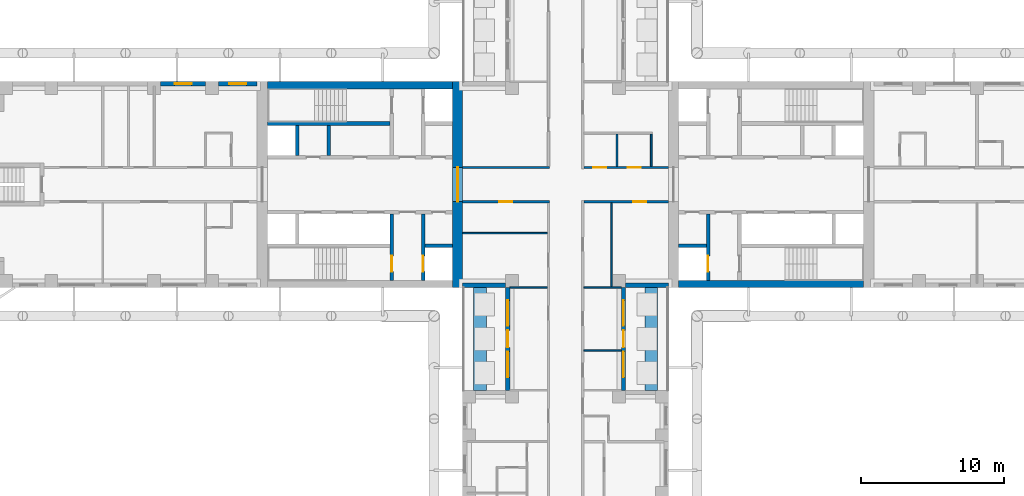
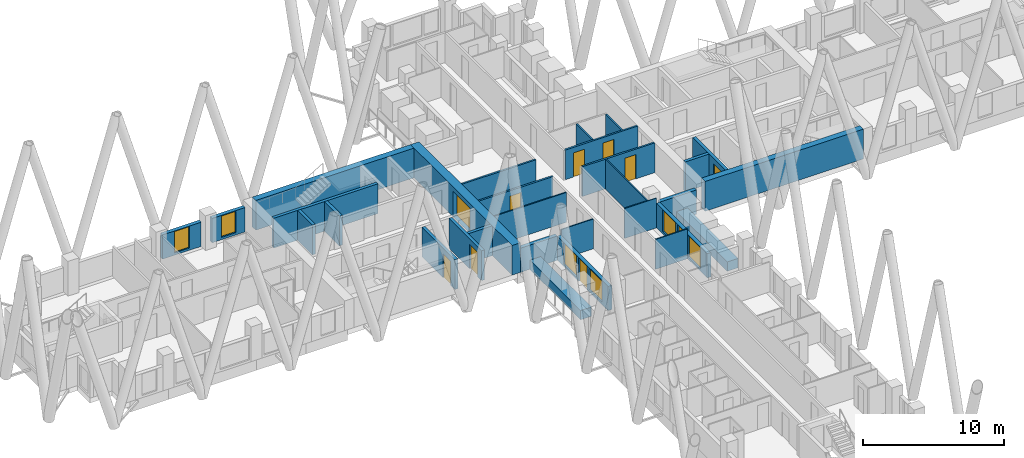
# One storey, part 7 of 14: 30 walls, 10 doors, 6 windows, 16 openings.
"""IFC4 building model written with IfcOpenShell, lengths in metres."""

from ifc_helpers import new_model, si_unit, direction, frame, frame_2d, origin, place, context, subcontext, project, spatial, rectangle, extrude, material, layer, layer_set, type_object, element, fill, save


model = new_model("IFC4")

# Units and contexts
model_context = context("Model", 3, precision=1e-05, world=origin(), true_north=direction((0.0, 1.0)))
body_context = subcontext(model_context, "Body", "Model", "MODEL_VIEW")
ifc_project = project(units=[si_unit("LENGTHUNIT", "METRE"), si_unit("AREAUNIT", "SQUARE_METRE"), si_unit("VOLUMEUNIT", "CUBIC_METRE"), si_unit("PLANEANGLEUNIT", "RADIAN"), si_unit("MASSUNIT", "GRAM", prefix="KILO")], contexts=[model_context])

# Site, building, storey
site_placement = place(None, origin())
site = spatial("IfcSite", under=ifc_project, at=site_placement, CompositionType="ELEMENT")
building_placement = place(site_placement, origin())
building = spatial("IfcBuilding", under=site, at=building_placement, Name="Fustian Cross Tower", CompositionType="ELEMENT")
storey_placement = place(building_placement, frame((0.0, 0.0, 90.89990234375)))
storey = spatial("IfcBuildingStorey", under=building, at=storey_placement, Name="L28", CompositionType="ELEMENT", Elevation=90.89990234375)

# Wall, opening, door
ifc_material_1 = material(Name="Plasterboard on steel stud", Category="steel")
ifc_layer_1 = layer(ifc_material_1, 0.14990234375)
ifc_layer_set_1 = layer_set([ifc_layer_1], Name="Plasterboard on steel stud")
wall_type_1 = type_object("IfcWallType", Name="COMPARTMENT WALL 150 EI 60", PredefinedType="PARTITIONING", material=ifc_layer_set_1)
wall_1_placement = place(storey_placement, frame((-7.199951171875, -1.199951171875, 0.0), z_axis=(0.0, 0.0, 1.0), x_axis=(1.0, 0.0, 0.0)))
wall_1 = element("IfcWall", 1, at=wall_1_placement, inside=storey, type_object=wall_type_1, Name="Partition 15", PredefinedType="PARTITIONING", context=body_context, shape_type="SweptSolid", body=[
    extrude(rectangle(XDim=6.074951171875, YDim=0.14990234375, at=frame_2d((3.03759765625, 0.0))), origin(), (0.0, 0.0, 1.0), 2.5751953125),
])
opening_1_placement = place(wall_1_placement, frame((2.550048828125, 0.0, 0.0)))
opening_1 = element("IfcOpeningElement", 2, at=opening_1_placement, cuts=wall_1, Name="Opening D13007", PredefinedType="OPENING", context=body_context, shape_type="SweptSolid", body=[
    extrude(rectangle(XDim=0.89990234375, YDim=2.10009765625, at=frame_2d((0.449951171875, 1.050048828125))), frame((0.0, 0.0849609375, 0.0), z_axis=(0.0, -1.0, 0.0), x_axis=(1.0, 0.0, 0.0)), (0.0, 0.0, 1.0), 0.169921875),
])
ifc_material_2 = material(Name="Timber fire door set", Category="wood")
door_type_1 = type_object("IfcDoorType", Name="FIRE SWING DOOR 900 FD30S", OperationType="SINGLE_SWING_LEFT", PredefinedType="DOOR", material=ifc_material_2)
door_1_placement = place(opening_1_placement, frame((0.89990234375, 0.0, 0.0), z_axis=(0.0, 0.0, 1.0), x_axis=(-1.0, 0.0, 0.0)))
door_1 = element("IfcDoor", 3, at=door_1_placement, inside=storey, type_object=door_type_1, Name="Door D13007", OperationType="SINGLE_SWING_RIGHT", OverallHeight=2.10009765625, OverallWidth=0.89990234375, PredefinedType="DOOR", context=body_context, shape_type="SweptSolid", body=[
    extrude(rectangle(XDim=0.89990234375, YDim=2.10009765625, at=frame_2d((0.449951171875, 1.050048828125))), frame((0.0, 0.02490234375, 0.0), z_axis=(0.0, -1.0, 0.0), x_axis=(1.0, 0.0, 0.0)), (0.0, 0.0, 1.0), 0.050048828125),
])
fill(opening_1, door_1)

# Wall
wall_2_placement = place(storey_placement, frame((-7.199951171875, 1.199951171875, 0.0), z_axis=(0.0, 0.0, 1.0), x_axis=(1.0, 0.0, 0.0)))
element("IfcWall", 4, at=wall_2_placement, inside=storey, type_object=wall_type_1, Name="Partition 16", PredefinedType="PARTITIONING", context=body_context, shape_type="SweptSolid", body=[
    extrude(rectangle(XDim=6.074951171875, YDim=0.14990234375, at=frame_2d((3.03759765625, 0.0))), origin(), (0.0, 0.0, 1.0), 2.5751953125),
])

# Wall, opening, door
wall_3_placement = place(storey_placement, frame((1.27490234375, -1.199951171875, 0.0), z_axis=(0.0, 0.0, 1.0), x_axis=(1.0, 0.0, 0.0)))
wall_3 = element("IfcWall", 5, at=wall_3_placement, inside=storey, type_object=wall_type_1, Name="Partition 48", PredefinedType="PARTITIONING", context=body_context, shape_type="SweptSolid", body=[
    extrude(rectangle(XDim=5.925048828125, YDim=0.14990234375, at=frame_2d((2.96240234375, 0.0))), origin(), (0.0, 0.0, 1.0), 2.5751953125),
])
opening_2_placement = place(wall_3_placement, frame((3.47509765625, 0.0, 0.0)))
opening_2 = element("IfcOpeningElement", 6, at=opening_2_placement, cuts=wall_3, Name="Opening D13006", PredefinedType="OPENING", context=body_context, shape_type="SweptSolid", body=[
    extrude(rectangle(XDim=0.89990234375, YDim=2.10009765625, at=frame_2d((0.449951171875, 1.050048828125))), frame((0.0, 0.0849609375, 0.0), z_axis=(0.0, -1.0, 0.0), x_axis=(1.0, 0.0, 0.0)), (0.0, 0.0, 1.0), 0.169921875),
])
door_2_placement = place(opening_2_placement, frame((0.89990234375, 0.0, 0.0), z_axis=(0.0, 0.0, 1.0), x_axis=(-1.0, 0.0, 0.0)))
door_2 = element("IfcDoor", 7, at=door_2_placement, inside=storey, type_object=door_type_1, Name="Door D13006", OperationType="SINGLE_SWING_RIGHT", OverallHeight=2.10009765625, OverallWidth=0.89990234375, PredefinedType="DOOR", context=body_context, shape_type="SweptSolid", body=[
    extrude(rectangle(XDim=0.89990234375, YDim=2.10009765625, at=frame_2d((0.449951171875, 1.050048828125))), frame((0.0, 0.02490234375, 0.0), z_axis=(0.0, -1.0, 0.0), x_axis=(1.0, 0.0, 0.0)), (0.0, 0.0, 1.0), 0.050048828125),
])
fill(opening_2, door_2)

# Wall, openings, doors
wall_4_placement = place(storey_placement, frame((1.27490234375, 1.199951171875, 0.0), z_axis=(0.0, 0.0, 1.0), x_axis=(1.0, 0.0, 0.0)))
wall_4 = element("IfcWall", 8, at=wall_4_placement, inside=storey, type_object=wall_type_1, Name="Partition 50", PredefinedType="PARTITIONING", context=body_context, shape_type="SweptSolid", body=[
    extrude(rectangle(XDim=5.925048828125, YDim=0.14990234375, at=frame_2d((2.96240234375, 0.0))), origin(), (0.0, 0.0, 1.0), 2.5751953125),
])
opening_3_placement = place(wall_4_placement, frame((0.675048828125, 0.0, 0.0)))
opening_3 = element("IfcOpeningElement", 9, at=opening_3_placement, cuts=wall_4, Name="Opening D13001", PredefinedType="OPENING", context=body_context, shape_type="SweptSolid", body=[
    extrude(rectangle(XDim=0.89990234375, YDim=2.10009765625, at=frame_2d((0.449951171875, 1.050048828125))), frame((0.0, 0.0849609375, 0.0), z_axis=(0.0, -1.0, 0.0), x_axis=(1.0, 0.0, 0.0)), (0.0, 0.0, 1.0), 0.169921875),
])
opening_4_placement = place(wall_4_placement, frame((3.074951171875, 0.0, 0.0)))
opening_4 = element("IfcOpeningElement", 10, at=opening_4_placement, cuts=wall_4, Name="Opening D13002", PredefinedType="OPENING", context=body_context, shape_type="SweptSolid", body=[
    extrude(rectangle(XDim=0.89990234375, YDim=2.10009765625, at=frame_2d((0.449951171875, 1.050048828125))), frame((0.0, 0.0849609375, 0.0), z_axis=(0.0, -1.0, 0.0), x_axis=(1.0, 0.0, 0.0)), (0.0, 0.0, 1.0), 0.169921875),
])
door_3_placement = place(opening_3_placement, origin())
door_3 = element("IfcDoor", 11, at=door_3_placement, inside=storey, type_object=door_type_1, Name="Door D13001", OperationType="SINGLE_SWING_LEFT", OverallHeight=2.10009765625, OverallWidth=0.89990234375, PredefinedType="DOOR", context=body_context, shape_type="SweptSolid", body=[
    extrude(rectangle(XDim=0.89990234375, YDim=2.10009765625, at=frame_2d((0.449951171875, 1.050048828125))), frame((0.0, 0.02490234375, 0.0), z_axis=(0.0, -1.0, 0.0), x_axis=(1.0, 0.0, 0.0)), (0.0, 0.0, 1.0), 0.050048828125),
])
fill(opening_3, door_3)
door_4_placement = place(opening_4_placement, origin())
door_4 = element("IfcDoor", 12, at=door_4_placement, inside=storey, type_object=door_type_1, Name="Door D13002", OperationType="SINGLE_SWING_LEFT", OverallHeight=2.10009765625, OverallWidth=0.89990234375, PredefinedType="DOOR", context=body_context, shape_type="SweptSolid", body=[
    extrude(rectangle(XDim=0.89990234375, YDim=2.10009765625, at=frame_2d((0.449951171875, 1.050048828125))), frame((0.0, 0.02490234375, 0.0), z_axis=(0.0, -1.0, 0.0), x_axis=(1.0, 0.0, 0.0)), (0.0, 0.0, 1.0), 0.050048828125),
])
fill(opening_4, door_4)

# Wall, opening, door
ifc_material_3 = material(Name="Concrete C70/85", Category="concrete")
ifc_layer_2 = layer(ifc_material_3, 0.699951171875)
ifc_layer_set_2 = layer_set([ifc_layer_2], Name="Concrete C70/85")
wall_type_2 = type_object("IfcWallType", Name="CORE END WALL 700 C70/85", PredefinedType="SHEAR", material=ifc_layer_set_2)
wall_5_placement = place(storey_placement, frame((-7.550048828125, -7.199951171875, 0.0), z_axis=(0.0, 0.0, 1.0), x_axis=(0.0, 1.0, 0.0)))
wall_5 = element("IfcWall", 13, at=wall_5_placement, inside=storey, type_object=wall_type_2, Name="Core end wall", PredefinedType="SHEAR", context=body_context, shape_type="SweptSolid", body=[
    extrude(rectangle(XDim=14.39990234375, YDim=0.699951171875, at=frame_2d((7.199951171875, 0.0))), origin(), (0.0, 0.0, 1.0), 2.5751953125),
])
opening_5_placement = place(wall_5_placement, frame((6.0, 0.0, 0.0)))
opening_5 = element("IfcOpeningElement", 14, at=opening_5_placement, cuts=wall_5, Name="Opening CD-11-27", PredefinedType="OPENING", context=body_context, shape_type="SweptSolid", body=[
    extrude(rectangle(XDim=2.39990234375, YDim=2.199951171875, at=frame_2d((1.199951171875, 1.10009765625))), frame((0.0, 0.35986328125, 0.0), z_axis=(0.0, -1.0, 0.0), x_axis=(1.0, 0.0, 0.0)), (0.0, 0.0, 1.0), 0.719970703125),
])
ifc_material_4 = material(Name="Steel", Category="steel")
door_type_2 = type_object("IfcDoorType", Name="FIRE DOOR FD30S DOUBLE 2400X2200", OperationType="DOUBLE_DOOR_DOUBLE_SWING", PredefinedType="DOOR", material=ifc_material_4)
door_5_placement = place(opening_5_placement, origin())
door_5 = element("IfcDoor", 15, at=door_5_placement, inside=storey, type_object=door_type_2, Name="Core door CD-11-27", OperationType="DOUBLE_DOOR_DOUBLE_SWING", OverallHeight=2.199951171875, OverallWidth=2.39990234375, PredefinedType="DOOR", context=body_context, shape_type="SweptSolid", body=[
    extrude(rectangle(XDim=2.39990234375, YDim=2.199951171875, at=frame_2d((1.199951171875, 1.10009765625))), frame((0.0, 0.02490234375, 0.0), z_axis=(0.0, -1.0, 0.0), x_axis=(1.0, 0.0, 0.0)), (0.0, 0.0, 1.0), 0.050048828125),
])
fill(opening_5, door_5)

# Walls
ifc_material_5 = material(Name="Concrete C70/85", Category="concrete")
ifc_layer_3 = layer(ifc_material_5, 0.5)
ifc_layer_set_3 = layer_set([ifc_layer_3], Name="Concrete C70/85")
wall_type_3 = type_object("IfcWallType", Name="CORE FACADE WALL 500 C70/85", PredefinedType="SHEAR", material=ifc_layer_set_3)
for number, where, z_axis, x_axis, name in (
    (16, (7.89990234375, -6.949951171875, 0.0), (0.0, 0.0, 1.0), (1.0, 0.0, 0.0), "Core facade wall"),
    (17, (-7.89990234375, 6.949951171875, 0.0), (0.0, 0.0, 1.0), (-1.0, 0.0, 0.0), "Core facade wall"),
):
    element("IfcWall", number, at=place(storey_placement, frame(where, z_axis=z_axis, x_axis=x_axis)), inside=storey, type_object=wall_type_3, Name=name, PredefinedType="SHEAR", context=body_context, shape_type="SweptSolid", body=[
        extrude(rectangle(XDim=12.9501953125, YDim=0.5, at=frame_2d((6.47509765625, 0.0))), origin(), (0.0, 0.0, 1.0), 2.5751953125),
    ])
ifc_material_6 = material(Name="Concrete C50/60", Category="concrete")
ifc_layer_4 = layer(ifc_material_6, 0.25)
ifc_layer_set_4 = layer_set([ifc_layer_4], Name="Concrete C50/60")
wall_type_4 = type_object("IfcWallType", Name="CORE SHAFT WALL 250 C50/60", PredefinedType="SHEAR", material=ifc_layer_set_4)
wall_6_placement = place(storey_placement, frame((7.89990234375, -4.27490234375, 0.0), z_axis=(0.0, 0.0, 1.0), x_axis=(1.0, 0.0, 0.0)))
element("IfcWall", 18, at=wall_6_placement, inside=storey, type_object=wall_type_4, Name="Core shaft wall", PredefinedType="SHEAR", context=body_context, shape_type="SweptSolid", body=[
    extrude(rectangle(XDim=1.9501953125, YDim=0.25, at=frame_2d((0.97509765625, 0.0))), origin(), (0.0, 0.0, 1.0), 2.5751953125),
])

# Wall, opening, door
wall_7_placement = place(storey_placement, frame((9.97509765625, -2.050048828125, 0.0), z_axis=(0.0, 0.0, 1.0), x_axis=(0.0, -1.0, 0.0)))
wall_7 = element("IfcWall", 19, at=wall_7_placement, inside=storey, type_object=wall_type_4, Name="Core shaft wall", PredefinedType="SHEAR", context=body_context, shape_type="SweptSolid", body=[
    extrude(rectangle(XDim=4.64990234375, YDim=0.25, at=frame_2d((2.324951171875, 0.0))), origin(), (0.0, 0.0, 1.0), 2.5751953125),
])
opening_6_placement = place(wall_7_placement, frame((2.949951171875, 0.0, 0.0)))
opening_6 = element("IfcOpeningElement", 20, at=opening_6_placement, cuts=wall_7, Name="Opening LD", PredefinedType="OPENING", context=body_context, shape_type="SweptSolid", body=[
    extrude(rectangle(XDim=1.10009765625, YDim=2.10009765625, at=frame_2d((0.550048828125, 1.050048828125))), frame((0.0, 0.135009765625, 0.0), z_axis=(0.0, -1.0, 0.0), x_axis=(1.0, 0.0, 0.0)), (0.0, 0.0, 1.0), 0.27001953125),
])
ifc_material_7 = material(Name="Stainless steel", Category="steel")
door_type_3 = type_object("IfcDoorType", Name="LIFT LANDING DOOR 1100X2100", OperationType="SLIDING_TO_LEFT", PredefinedType="DOOR", material=ifc_material_7)
door_6_placement = place(opening_6_placement, origin())
door_6 = element("IfcDoor", 21, at=door_6_placement, inside=storey, type_object=door_type_3, Name="Landing door SV1", OperationType="SLIDING_TO_LEFT", OverallHeight=2.10009765625, OverallWidth=1.10009765625, PredefinedType="DOOR", context=body_context, shape_type="SweptSolid", body=[
    extrude(rectangle(XDim=1.10009765625, YDim=2.10009765625, at=frame_2d((0.550048828125, 1.050048828125))), frame((0.0, 0.02490234375, 0.0), z_axis=(0.0, -1.0, 0.0), x_axis=(1.0, 0.0, 0.0)), (0.0, 0.0, 1.0), 0.050048828125),
])
fill(opening_6, door_6)

# Walls
wall_8_placement = place(storey_placement, frame((-12.300048828125, 4.27490234375, 0.0), z_axis=(0.0, 0.0, 1.0), x_axis=(-1.0, 0.0, 0.0)))
element("IfcWall", 22, at=wall_8_placement, inside=storey, type_object=wall_type_4, Name="Core shaft wall", PredefinedType="SHEAR", context=body_context, shape_type="SweptSolid", body=[
    extrude(rectangle(XDim=8.550048828125, YDim=0.25, at=frame_2d((4.27490234375, 0.0))), origin(), (0.0, 0.0, 1.0), 2.5751953125),
])
wall_9_placement = place(storey_placement, frame((-7.89990234375, -4.27490234375, 0.0), z_axis=(0.0, 0.0, 1.0), x_axis=(-1.0, 0.0, 0.0)))
element("IfcWall", 23, at=wall_9_placement, inside=storey, type_object=wall_type_4, Name="Core shaft wall", PredefinedType="SHEAR", context=body_context, shape_type="SweptSolid", body=[
    extrude(rectangle(XDim=1.9501953125, YDim=0.25, at=frame_2d((0.97509765625, 0.0))), origin(), (0.0, 0.0, 1.0), 2.5751953125),
])

# Wall, opening, door
wall_10_placement = place(storey_placement, frame((-9.97509765625, -2.050048828125, 0.0), z_axis=(0.0, 0.0, 1.0), x_axis=(0.0, -1.0, 0.0)))
wall_10 = element("IfcWall", 24, at=wall_10_placement, inside=storey, type_object=wall_type_4, Name="Core shaft wall", PredefinedType="SHEAR", context=body_context, shape_type="SweptSolid", body=[
    extrude(rectangle(XDim=4.64990234375, YDim=0.25, at=frame_2d((2.324951171875, 0.0))), origin(), (0.0, 0.0, 1.0), 2.5751953125),
])
opening_7_placement = place(wall_10_placement, frame((2.949951171875, 0.0, 0.0)))
opening_7 = element("IfcOpeningElement", 25, at=opening_7_placement, cuts=wall_10, Name="Opening LD", PredefinedType="OPENING", context=body_context, shape_type="SweptSolid", body=[
    extrude(rectangle(XDim=1.10009765625, YDim=2.10009765625, at=frame_2d((0.550048828125, 1.050048828125))), frame((0.0, 0.135009765625, 0.0), z_axis=(0.0, -1.0, 0.0), x_axis=(1.0, 0.0, 0.0)), (0.0, 0.0, 1.0), 0.27001953125),
])
door_7_placement = place(opening_7_placement, origin())
door_7 = element("IfcDoor", 26, at=door_7_placement, inside=storey, type_object=door_type_3, Name="Landing door SV1W", OperationType="SLIDING_TO_LEFT", OverallHeight=2.10009765625, OverallWidth=1.10009765625, PredefinedType="DOOR", context=body_context, shape_type="SweptSolid", body=[
    extrude(rectangle(XDim=1.10009765625, YDim=2.10009765625, at=frame_2d((0.550048828125, 1.050048828125))), frame((0.0, 0.02490234375, 0.0), z_axis=(0.0, -1.0, 0.0), x_axis=(1.0, 0.0, 0.0)), (0.0, 0.0, 1.0), 0.050048828125),
])
fill(opening_7, door_7)

wall_11_placement = place(storey_placement, frame((-12.175048828125, -2.050048828125, 0.0), z_axis=(0.0, 0.0, 1.0), x_axis=(0.0, -1.0, 0.0)))
wall_11 = element("IfcWall", 27, at=wall_11_placement, inside=storey, type_object=wall_type_4, Name="Core shaft wall", PredefinedType="SHEAR", context=body_context, shape_type="SweptSolid", body=[
    extrude(rectangle(XDim=4.64990234375, YDim=0.25, at=frame_2d((2.324951171875, 0.0))), origin(), (0.0, 0.0, 1.0), 2.5751953125),
])
opening_8_placement = place(wall_11_placement, frame((2.949951171875, 0.0, 0.0)))
opening_8 = element("IfcOpeningElement", 28, at=opening_8_placement, cuts=wall_11, Name="Opening CD-11-22", PredefinedType="OPENING", context=body_context, shape_type="SweptSolid", body=[
    extrude(rectangle(XDim=1.10009765625, YDim=2.10009765625, at=frame_2d((0.550048828125, 1.050048828125))), frame((0.0, 0.135009765625, 0.0), z_axis=(0.0, -1.0, 0.0), x_axis=(1.0, 0.0, 0.0)), (0.0, 0.0, 1.0), 0.27001953125),
])
ifc_material_8 = material(Name="Steel", Category="steel")
door_type_4 = type_object("IfcDoorType", Name="FIRE DOOR FD60S 1100X2100", OperationType="SINGLE_SWING_LEFT", PredefinedType="DOOR", material=ifc_material_8)
door_8_placement = place(opening_8_placement, frame((1.10009765625, 0.0, 0.0), z_axis=(0.0, 0.0, 1.0), x_axis=(-1.0, 0.0, 0.0)))
door_8 = element("IfcDoor", 29, at=door_8_placement, inside=storey, type_object=door_type_4, Name="Core door CD-11-22", OperationType="SINGLE_SWING_RIGHT", OverallHeight=2.10009765625, OverallWidth=1.10009765625, PredefinedType="DOOR", context=body_context, shape_type="SweptSolid", body=[
    extrude(rectangle(XDim=1.10009765625, YDim=2.10009765625, at=frame_2d((0.550048828125, 1.050048828125))), frame((0.0, 0.02490234375, 0.0), z_axis=(0.0, -1.0, 0.0), x_axis=(1.0, 0.0, 0.0)), (0.0, 0.0, 1.0), 0.050048828125),
])
fill(opening_8, door_8)

# Walls
ifc_material_9 = material(Name="Plasterboard on steel stud", Category="steel")
ifc_layer_5 = layer(ifc_material_9, 0.10009765625)
ifc_layer_set_5 = layer_set([ifc_layer_5], Name="Plasterboard on steel stud")
wall_type_5 = type_object("IfcWallType", Name="PARTITION 100 STUD", PredefinedType="PARTITIONING", material=ifc_layer_set_5)
wall_12_placement = place(storey_placement, frame((-7.199951171875, -3.39990234375, 0.0), z_axis=(0.0, 0.0, 1.0), x_axis=(1.0, 0.0, 0.0)))
element("IfcWall", 30, at=wall_12_placement, inside=storey, type_object=wall_type_5, Name="Partition 14", PredefinedType="PARTITIONING", context=body_context, shape_type="SweptSolid", body=[
    extrude(rectangle(XDim=5.925048828125, YDim=0.10009765625, at=frame_2d((2.96240234375, 0.0))), origin(), (0.0, 0.0, 1.0), 2.5751953125),
])
for number, where, z_axis, x_axis, name in (
    (31, (-3.89990234375, -7.199951171875, 0.0), (0.0, 0.0, 1.0), (1.0, 0.0, 0.0), "Partition 32"),
    (32, (1.27490234375, -11.60009765625, 0.0), (0.0, 0.0, 1.0), (1.0, 0.0, 0.0), "Partition 46"),
    (33, (1.27490234375, -7.199951171875, 0.0), (0.0, 0.0, 1.0), (1.0, 0.0, 0.0), "Partition 47"),
):
    element("IfcWall", number, at=place(storey_placement, frame(where, z_axis=z_axis, x_axis=x_axis)), inside=storey, type_object=wall_type_5, Name=name, PredefinedType="PARTITIONING", context=body_context, shape_type="SweptSolid", body=[
        extrude(rectangle(XDim=2.625, YDim=0.10009765625, at=frame_2d((1.3125, 0.0))), origin(), (0.0, 0.0, 1.0), 2.5751953125),
    ])
wall_13_placement = place(storey_placement, frame((3.199951171875, -7.14990234375, 0.0), z_axis=(0.0, 0.0, 1.0), x_axis=(0.0, 1.0, 0.0)))
element("IfcWall", 34, at=wall_13_placement, inside=storey, type_object=wall_type_5, Name="Partition 62", PredefinedType="PARTITIONING", context=body_context, shape_type="SweptSolid", body=[
    extrude(rectangle(XDim=5.875, YDim=0.10009765625, at=frame_2d((2.9375, 0.0))), origin(), (0.0, 0.0, 1.0), 2.5751953125),
])
ifc_material_10 = material(Name="Concrete C40/50", Category="concrete")
ifc_layer_6 = layer(ifc_material_10, 0.89990234375)
ifc_layer_set_6 = layer_set([ifc_layer_6], Name="Concrete C40/50")
wall_type_6 = type_object("IfcWallType", Name="PK1 PLANTER 900", PredefinedType="PARAPET", material=ifc_layer_set_6)
for number, where, z_axis, x_axis, name in (
    (35, (6.0, -14.39990234375, 0.0), (0.0, 0.0, 1.0), (0.0, 1.0, 0.0), "PLANTER"),
    (36, (-6.0, -14.39990234375, 0.0), (0.0, 0.0, 1.0), (0.0, 1.0, 0.0), "PLANTER"),
):
    element("IfcWall", number, at=place(storey_placement, frame(where, z_axis=z_axis, x_axis=x_axis)), inside=storey, type_object=wall_type_6, Name=name, PredefinedType="PARAPET", context=body_context, shape_type="SweptSolid", body=[
        extrude(rectangle(XDim=7.199951171875, YDim=0.89990234375, at=frame_2d((3.60009765625, 0.0))), origin(), (0.0, 0.0, 1.0), 0.800048828125),
    ])
ifc_material_11 = material(Name="Concrete C40/50", Category="concrete")
ifc_layer_7 = layer(ifc_material_11, 0.25)
ifc_layer_set_7 = layer_set([ifc_layer_7], Name="Concrete C40/50")
wall_type_7 = type_object("IfcWallType", Name="SHAFT PARTITION WALL 250 C40/50", PredefinedType="PARTITIONING", material=ifc_layer_set_7)
for number, where, z_axis, x_axis, name in (
    (37, (-16.574951171875, 2.050048828125, 0.0), (0.0, 0.0, 1.0), (0.0, 1.0, 0.0), "Core shaft wall"),
    (38, (-18.77490234375, 2.050048828125, 0.0), (0.0, 0.0, 1.0), (0.0, 1.0, 0.0), "Core shaft wall"),
):
    element("IfcWall", number, at=place(storey_placement, frame(where, z_axis=z_axis, x_axis=x_axis)), inside=storey, type_object=wall_type_7, Name=name, PredefinedType="PARTITIONING", context=body_context, shape_type="SweptSolid", body=[
        extrude(rectangle(XDim=2.099853515625, YDim=0.25, at=frame_2d((1.0498046875, 0.0))), origin(), (0.0, 0.0, 1.0), 2.5751953125),
    ])
ifc_material_12 = material(Name="Plasterboard on steel stud", Category="steel")
ifc_layer_8 = layer(ifc_material_12, 0.125)
ifc_layer_set_8 = layer_set([ifc_layer_8], Name="Plasterboard on steel stud")
wall_type_8 = type_object("IfcWallType", Name="WET WALL 125 STUD", PredefinedType="PARTITIONING", material=ifc_layer_set_8)
for number, where, z_axis, x_axis, name in (
    (39, (3.60009765625, 1.27490234375, 0.0), (0.0, 0.0, 1.0), (0.0, 1.0, 0.0), "Partition 63"),
    (40, (6.0, 1.27490234375, 0.0), (0.0, 0.0, 1.0), (0.0, 1.0, 0.0), "Partition 69"),
):
    element("IfcWall", number, at=place(storey_placement, frame(where, z_axis=z_axis, x_axis=x_axis)), inside=storey, type_object=wall_type_8, Name=name, PredefinedType="PARTITIONING", context=body_context, shape_type="SweptSolid", body=[
        extrude(rectangle(XDim=2.2626953125, YDim=0.125, at=frame_2d((1.13134765625, 0.0))), origin(), (0.0, 0.0, 1.0), 2.5751953125),
    ])

# Wall, opening, window
ifc_material_13 = material(Name="Dark aluminium cladding on insulated backing wall", Category="aluminium")
ifc_layer_9 = layer(ifc_material_13, 0.300048828125)
ifc_layer_set_9 = layer_set([ifc_layer_9], Name="Dark aluminium cladding on insulated backing wall")
wall_type_9 = type_object("IfcWallType", Name="XW1 EXTERNAL WALL 300", PredefinedType="SOLIDWALL", material=ifc_layer_set_9)
wall_14_placement = place(storey_placement, frame((-21.60009765625, 7.050048828125, 0.0), z_axis=(0.0, 0.0, 1.0), x_axis=(-1.0, 0.0, 0.0)))
wall_14 = element("IfcWall", 41, at=wall_14_placement, inside=storey, type_object=wall_type_9, Name="External wall", PredefinedType="SOLIDWALL", context=body_context, shape_type="SweptSolid", body=[
    extrude(rectangle(XDim=2.699951171875, YDim=0.300048828125, at=frame_2d((1.35009765625, 0.0))), origin(), (0.0, 0.0, 1.0), 2.10009765625),
])
opening_9_placement = place(wall_14_placement, frame((0.75, 0.0, 0.199951171875)))
opening_9 = element("IfcOpeningElement", 42, at=opening_9_placement, cuts=wall_14, Name="Opening WN3", PredefinedType="OPENING", context=body_context, shape_type="SweptSolid", body=[
    extrude(rectangle(XDim=1.199951171875, YDim=1.85009765625, at=frame_2d((0.60009765625, 0.925048828125))), frame((0.0, 0.159912109375, 0.0), z_axis=(0.0, -1.0, 0.0), x_axis=(1.0, 0.0, 0.0)), (0.0, 0.0, 1.0), 0.320068359375),
])
ifc_material_14 = material(Name="Dark anodised aluminium and double glazing", Category="aluminium")
window_type_1 = type_object("IfcWindowType", Name="WN3 WINDOW 1200X1850", PartitioningType="SINGLE_PANEL", PredefinedType="WINDOW", material=ifc_material_14)
window_1_placement = place(opening_9_placement, origin())
window_1 = element("IfcWindow", 43, at=window_1_placement, inside=storey, type_object=window_type_1, Name="Window", OverallHeight=1.85009765625, OverallWidth=1.199951171875, PartitioningType="SINGLE_PANEL", PredefinedType="WINDOW", context=body_context, shape_type="SweptSolid", body=[
    extrude(rectangle(XDim=1.199951171875, YDim=1.85009765625, at=frame_2d((0.60009765625, 0.925048828125))), frame((0.0, 0.030029296875, 0.0), z_axis=(0.0, -1.0, 0.0), x_axis=(1.0, 0.0, 0.0)), (0.0, 0.0, 1.0), 0.06005859375),
])
fill(opening_9, window_1)

wall_15_placement = place(storey_placement, frame((-25.199951171875, 7.050048828125, 0.0), z_axis=(0.0, 0.0, 1.0), x_axis=(-1.0, 0.0, 0.0)))
wall_15 = element("IfcWall", 44, at=wall_15_placement, inside=storey, type_object=wall_type_9, Name="External wall", PredefinedType="SOLIDWALL", context=body_context, shape_type="SweptSolid", body=[
    extrude(rectangle(XDim=3.150146484375, YDim=0.300048828125, at=frame_2d((1.5751953125, 0.0))), origin(), (0.0, 0.0, 1.0), 2.10009765625),
])
opening_10_placement = place(wall_15_placement, frame((0.97509765625, 0.0, 0.199951171875)))
opening_10 = element("IfcOpeningElement", 45, at=opening_10_placement, cuts=wall_15, Name="Opening WN3", PredefinedType="OPENING", context=body_context, shape_type="SweptSolid", body=[
    extrude(rectangle(XDim=1.199951171875, YDim=1.85009765625, at=frame_2d((0.60009765625, 0.925048828125))), frame((0.0, 0.159912109375, 0.0), z_axis=(0.0, -1.0, 0.0), x_axis=(1.0, 0.0, 0.0)), (0.0, 0.0, 1.0), 0.320068359375),
])
window_2_placement = place(opening_10_placement, origin())
window_2 = element("IfcWindow", 46, at=window_2_placement, inside=storey, type_object=window_type_1, Name="Window", OverallHeight=1.85009765625, OverallWidth=1.199951171875, PartitioningType="SINGLE_PANEL", PredefinedType="WINDOW", context=body_context, shape_type="SweptSolid", body=[
    extrude(rectangle(XDim=1.199951171875, YDim=1.85009765625, at=frame_2d((0.60009765625, 0.925048828125))), frame((0.0, 0.030029296875, 0.0), z_axis=(0.0, -1.0, 0.0), x_axis=(1.0, 0.0, 0.0)), (0.0, 0.0, 1.0), 0.06005859375),
])
fill(opening_10, window_2)

# Wall
wall_16_placement = place(storey_placement, frame((-7.199951171875, -7.050048828125, 0.0), z_axis=(0.0, 0.0, 1.0), x_axis=(1.0, 0.0, 0.0)))
element("IfcWall", 47, at=wall_16_placement, inside=storey, type_object=wall_type_9, Name="External wall", PredefinedType="SOLIDWALL", context=body_context, shape_type="SweptSolid", body=[
    extrude(rectangle(XDim=3.0, YDim=0.300048828125, at=frame_2d((1.5, 0.0))), origin(), (0.0, 0.0, 1.0), 2.10009765625),
])

# Wall, openings, door, windows
wall_17_placement = place(storey_placement, frame((-4.050048828125, -7.199951171875, 0.0), z_axis=(0.0, 0.0, 1.0), x_axis=(0.0, -1.0, 0.0)))
wall_17 = element("IfcWall", 48, at=wall_17_placement, inside=storey, type_object=wall_type_9, Name="External wall", PredefinedType="SOLIDWALL", context=body_context, shape_type="SweptSolid", body=[
    extrude(rectangle(XDim=7.199951171875, YDim=0.300048828125, at=frame_2d((3.60009765625, 0.0))), origin(), (0.0, 0.0, 1.0), 2.10009765625),
])
opening_11_placement = place(wall_17_placement, frame((3.0, 0.0, 0.0)))
opening_11 = element("IfcOpeningElement", 49, at=opening_11_placement, cuts=wall_17, Name="Opening XD4", PredefinedType="OPENING", context=body_context, shape_type="SweptSolid", body=[
    extrude(rectangle(XDim=1.199951171875, YDim=2.050048828125, at=frame_2d((0.60009765625, 1.02490234375))), frame((0.0, 0.159912109375, 0.0), z_axis=(0.0, -1.0, 0.0), x_axis=(1.0, 0.0, 0.0)), (0.0, 0.0, 1.0), 0.320068359375),
])
opening_12_placement = place(wall_17_placement, frame((0.89990234375, 0.0, 0.199951171875)))
opening_12 = element("IfcOpeningElement", 50, at=opening_12_placement, cuts=wall_17, Name="Opening WN2", PredefinedType="OPENING", context=body_context, shape_type="SweptSolid", body=[
    extrude(rectangle(XDim=1.800048828125, YDim=1.85009765625, at=frame_2d((0.89990234375, 0.925048828125))), frame((0.0, 0.159912109375, 0.0), z_axis=(0.0, -1.0, 0.0), x_axis=(1.0, 0.0, 0.0)), (0.0, 0.0, 1.0), 0.320068359375),
])
opening_13_placement = place(wall_17_placement, frame((4.5, 0.0, 0.199951171875)))
opening_13 = element("IfcOpeningElement", 51, at=opening_13_placement, cuts=wall_17, Name="Opening WN2", PredefinedType="OPENING", context=body_context, shape_type="SweptSolid", body=[
    extrude(rectangle(XDim=1.800048828125, YDim=1.85009765625, at=frame_2d((0.89990234375, 0.925048828125))), frame((0.0, 0.159912109375, 0.0), z_axis=(0.0, -1.0, 0.0), x_axis=(1.0, 0.0, 0.0)), (0.0, 0.0, 1.0), 0.320068359375),
])
ifc_material_15 = material(Name="Dark anodised aluminium and double glazing", Category="aluminium")
door_type_5 = type_object("IfcDoorType", Name="ED1 BALCONY DOOR 1200X2050", OperationType="SINGLE_SWING_LEFT", PredefinedType="DOOR", material=ifc_material_15)
door_9_placement = place(opening_11_placement, origin())
door_9 = element("IfcDoor", 52, at=door_9_placement, inside=storey, type_object=door_type_5, Name="Balcony door", OperationType="SINGLE_SWING_LEFT", OverallHeight=2.050048828125, OverallWidth=1.199951171875, PredefinedType="DOOR", context=body_context, shape_type="SweptSolid", body=[
    extrude(rectangle(XDim=1.199951171875, YDim=2.050048828125, at=frame_2d((0.60009765625, 1.02490234375))), frame((0.0, 0.02490234375, 0.0), z_axis=(0.0, -1.0, 0.0), x_axis=(1.0, 0.0, 0.0)), (0.0, 0.0, 1.0), 0.050048828125),
])
fill(opening_11, door_9)
ifc_material_16 = material(Name="Dark anodised aluminium and double glazing", Category="aluminium")
window_type_2 = type_object("IfcWindowType", Name="WN2 WINDOW 1800X1850", PartitioningType="SINGLE_PANEL", PredefinedType="WINDOW", material=ifc_material_16)
window_3_placement = place(opening_12_placement, origin())
window_3 = element("IfcWindow", 53, at=window_3_placement, inside=storey, type_object=window_type_2, Name="Window", OverallHeight=1.85009765625, OverallWidth=1.800048828125, PartitioningType="SINGLE_PANEL", PredefinedType="WINDOW", context=body_context, shape_type="SweptSolid", body=[
    extrude(rectangle(XDim=1.800048828125, YDim=1.85009765625, at=frame_2d((0.89990234375, 0.925048828125))), frame((0.0, 0.030029296875, 0.0), z_axis=(0.0, -1.0, 0.0), x_axis=(1.0, 0.0, 0.0)), (0.0, 0.0, 1.0), 0.06005859375),
])
fill(opening_12, window_3)
window_4_placement = place(opening_13_placement, origin())
window_4 = element("IfcWindow", 54, at=window_4_placement, inside=storey, type_object=window_type_2, Name="Window", OverallHeight=1.85009765625, OverallWidth=1.800048828125, PartitioningType="SINGLE_PANEL", PredefinedType="WINDOW", context=body_context, shape_type="SweptSolid", body=[
    extrude(rectangle(XDim=1.800048828125, YDim=1.85009765625, at=frame_2d((0.89990234375, 0.925048828125))), frame((0.0, 0.030029296875, 0.0), z_axis=(0.0, -1.0, 0.0), x_axis=(1.0, 0.0, 0.0)), (0.0, 0.0, 1.0), 0.06005859375),
])
fill(opening_13, window_4)

wall_18_placement = place(storey_placement, frame((4.050048828125, -14.39990234375, 0.0), z_axis=(0.0, 0.0, 1.0), x_axis=(0.0, 1.0, 0.0)))
wall_18 = element("IfcWall", 55, at=wall_18_placement, inside=storey, type_object=wall_type_9, Name="External wall", PredefinedType="SOLIDWALL", context=body_context, shape_type="SweptSolid", body=[
    extrude(rectangle(XDim=7.199951171875, YDim=0.300048828125, at=frame_2d((3.60009765625, 0.0))), origin(), (0.0, 0.0, 1.0), 2.10009765625),
])
opening_14_placement = place(wall_18_placement, frame((3.0, 0.0, 0.0)))
opening_14 = element("IfcOpeningElement", 56, at=opening_14_placement, cuts=wall_18, Name="Opening XD3", PredefinedType="OPENING", context=body_context, shape_type="SweptSolid", body=[
    extrude(rectangle(XDim=1.199951171875, YDim=2.050048828125, at=frame_2d((0.60009765625, 1.02490234375))), frame((0.0, 0.159912109375, 0.0), z_axis=(0.0, -1.0, 0.0), x_axis=(1.0, 0.0, 0.0)), (0.0, 0.0, 1.0), 0.320068359375),
])
opening_15_placement = place(wall_18_placement, frame((0.89990234375, 0.0, 0.199951171875)))
opening_15 = element("IfcOpeningElement", 57, at=opening_15_placement, cuts=wall_18, Name="Opening WN2", PredefinedType="OPENING", context=body_context, shape_type="SweptSolid", body=[
    extrude(rectangle(XDim=1.800048828125, YDim=1.85009765625, at=frame_2d((0.89990234375, 0.925048828125))), frame((0.0, 0.159912109375, 0.0), z_axis=(0.0, -1.0, 0.0), x_axis=(1.0, 0.0, 0.0)), (0.0, 0.0, 1.0), 0.320068359375),
])
opening_16_placement = place(wall_18_placement, frame((4.5, 0.0, 0.199951171875)))
opening_16 = element("IfcOpeningElement", 58, at=opening_16_placement, cuts=wall_18, Name="Opening WN2", PredefinedType="OPENING", context=body_context, shape_type="SweptSolid", body=[
    extrude(rectangle(XDim=1.800048828125, YDim=1.85009765625, at=frame_2d((0.89990234375, 0.925048828125))), frame((0.0, 0.159912109375, 0.0), z_axis=(0.0, -1.0, 0.0), x_axis=(1.0, 0.0, 0.0)), (0.0, 0.0, 1.0), 0.320068359375),
])
door_10_placement = place(opening_14_placement, origin())
door_10 = element("IfcDoor", 59, at=door_10_placement, inside=storey, type_object=door_type_5, Name="Balcony door", OperationType="SINGLE_SWING_LEFT", OverallHeight=2.050048828125, OverallWidth=1.199951171875, PredefinedType="DOOR", context=body_context, shape_type="SweptSolid", body=[
    extrude(rectangle(XDim=1.199951171875, YDim=2.050048828125, at=frame_2d((0.60009765625, 1.02490234375))), frame((0.0, 0.02490234375, 0.0), z_axis=(0.0, -1.0, 0.0), x_axis=(1.0, 0.0, 0.0)), (0.0, 0.0, 1.0), 0.050048828125),
])
fill(opening_14, door_10)
window_5_placement = place(opening_15_placement, origin())
window_5 = element("IfcWindow", 60, at=window_5_placement, inside=storey, type_object=window_type_2, Name="Window", OverallHeight=1.85009765625, OverallWidth=1.800048828125, PartitioningType="SINGLE_PANEL", PredefinedType="WINDOW", context=body_context, shape_type="SweptSolid", body=[
    extrude(rectangle(XDim=1.800048828125, YDim=1.85009765625, at=frame_2d((0.89990234375, 0.925048828125))), frame((0.0, 0.030029296875, 0.0), z_axis=(0.0, -1.0, 0.0), x_axis=(1.0, 0.0, 0.0)), (0.0, 0.0, 1.0), 0.06005859375),
])
fill(opening_15, window_5)
window_6_placement = place(opening_16_placement, origin())
window_6 = element("IfcWindow", 61, at=window_6_placement, inside=storey, type_object=window_type_2, Name="Window", OverallHeight=1.85009765625, OverallWidth=1.800048828125, PartitioningType="SINGLE_PANEL", PredefinedType="WINDOW", context=body_context, shape_type="SweptSolid", body=[
    extrude(rectangle(XDim=1.800048828125, YDim=1.85009765625, at=frame_2d((0.89990234375, 0.925048828125))), frame((0.0, 0.030029296875, 0.0), z_axis=(0.0, -1.0, 0.0), x_axis=(1.0, 0.0, 0.0)), (0.0, 0.0, 1.0), 0.06005859375),
])
fill(opening_16, window_6)

# Wall
wall_19_placement = place(storey_placement, frame((4.199951171875, -7.050048828125, 0.0), z_axis=(0.0, 0.0, 1.0), x_axis=(1.0, 0.0, 0.0)))
element("IfcWall", 62, at=wall_19_placement, inside=storey, type_object=wall_type_9, Name="External wall", PredefinedType="SOLIDWALL", context=body_context, shape_type="SweptSolid", body=[
    extrude(rectangle(XDim=3.0, YDim=0.300048828125, at=frame_2d((1.5, 0.0))), origin(), (0.0, 0.0, 1.0), 2.10009765625),
])

save(model, "model.ifc")
